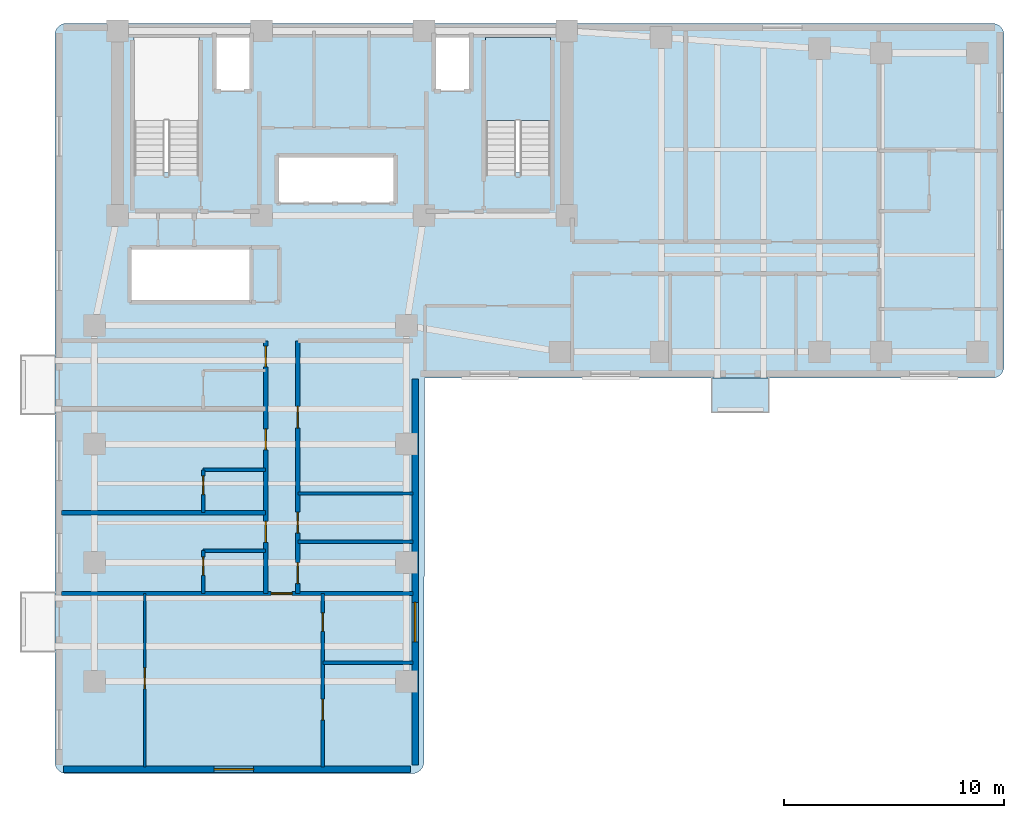
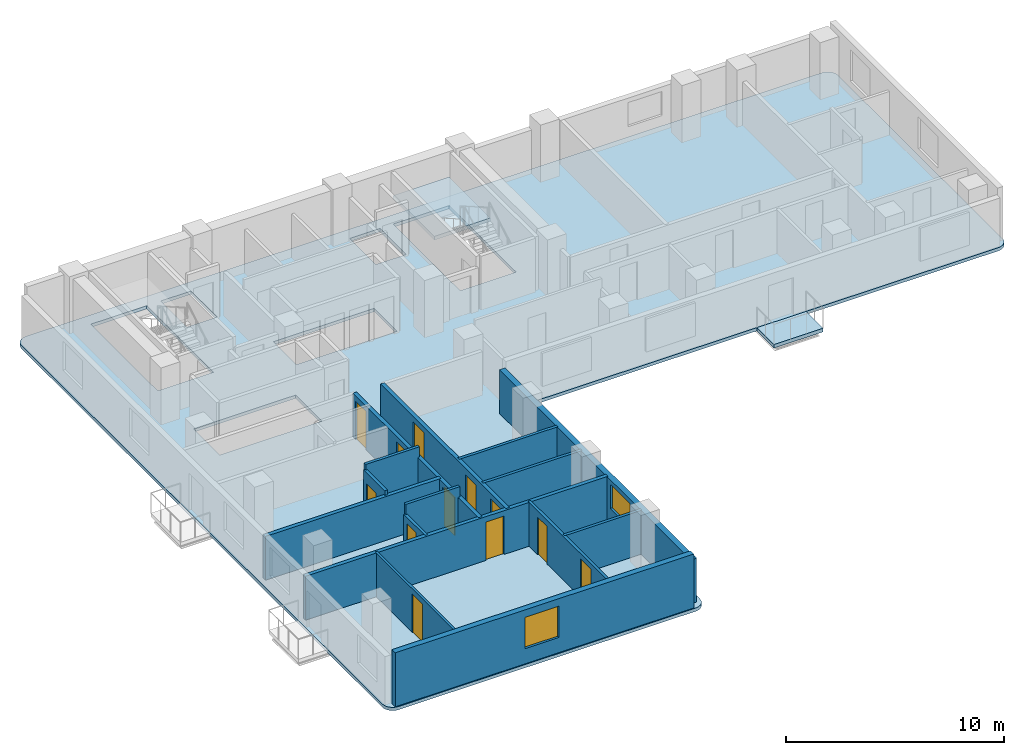
# One storey, part 2 of 7: 15 walls, 12 doors, 3 slabs, 2 windows, 14 openings, 1 element without a shape of its own.
"""IFC4 building model written with IfcOpenShell, lengths in metres."""

from ifc_helpers import new_model, si_unit, direction, frame, frame_2d, origin, place, context, subcontext, project, spatial, polyline, rectangle, outline, extrude, material, layer, layer_set, type_object, element, fill, aggregate, save


model = new_model("IFC4")

# Units and contexts
model_context = context("Model", 3, precision=1e-05, world=origin(), true_north=direction((0.0, 1.0)))
body_context = subcontext(model_context, "Body", "Model", "MODEL_VIEW")
ifc_project = project(units=[si_unit("LENGTHUNIT", "METRE"), si_unit("AREAUNIT", "SQUARE_METRE"), si_unit("VOLUMEUNIT", "CUBIC_METRE"), si_unit("PLANEANGLEUNIT", "RADIAN"), si_unit("MASSUNIT", "GRAM", prefix="KILO")], contexts=[model_context])

# Site, building, storey
site_placement = place(None, origin())
site = spatial("IfcSite", under=ifc_project, at=site_placement, CompositionType="ELEMENT")
building_placement = place(site_placement, origin())
building = spatial("IfcBuilding", under=site, at=building_placement, Name="Kuzgunbayir Cultural Tower", CompositionType="ELEMENT")
storey_placement = place(building_placement, frame((0.0, 0.0, 123.39990234375)))
storey = spatial("IfcBuildingStorey", under=building, at=storey_placement, Name="L35", CompositionType="ELEMENT", Elevation=123.39990234375)

# Slab
ifc_material_1 = material(Name="Concrete C40/50", Category="concrete")
ifc_layer_1 = layer(ifc_material_1, 0.199951171875)
ifc_layer_set_1 = layer_set([ifc_layer_1], Name="Concrete C40/50")
slab_type_1 = type_object("IfcSlabType", Name="SLB-BAL-STONE", PredefinedType="FLOOR", material=ifc_layer_set_1)
slab_1_placement = place(storey_placement, frame((0.0, 0.0, -0.199951171875)))
element("IfcSlab", 1, at=slab_1_placement, inside=storey, type_object=slab_type_1, Name="L35 Projecting Limestone Balcony BAL-L35-WB2", PredefinedType="FLOOR", context=body_context, shape_type="SweptSolid", body=[
    extrude(outline(polyline([(33.5, 24.840087890625), (36.10009765625, 24.840087890625), (36.10009765625, 26.39990234375), (33.5, 26.39990234375), (33.5, 24.840087890625)])), origin(), (0.0, 0.0, 1.0), 0.199951171875),
])

# Stair, slab
stair_type = type_object("IfcStairType", Name="STR-EXIT-CORE", PredefinedType="HALF_TURN_STAIR", material=ifc_material_1)
stair_placement = place(storey_placement, origin())
stair = element("IfcStair", 2, at=stair_placement, inside=storey, type_object=stair_type, Name="L35 ST-2", PredefinedType="HALF_TURN_STAIR")
ifc_layer_2 = layer(ifc_material_1, 0.179931640625)
ifc_layer_set_2 = layer_set([ifc_layer_2], Name="Concrete C40/50")
slab_type_2 = type_object("IfcSlabType", Name="SLB-LANDING-180", PredefinedType="LANDING", material=ifc_layer_set_2)
slab_2_placement = place(storey_placement, frame((0.0, 0.0, 1.400146484375)))
slab_2 = element("IfcSlab", 3, at=slab_2_placement, type_object=slab_type_2, Name="ST-2 landing 1", PredefinedType="LANDING", context=body_context, shape_type="SweptSolid", body=[
    extrude(outline(polyline([(26.159912109375, 38.1201171875), (26.159912109375, 41.89990234375), (23.199951171875, 41.89990234375), (23.199951171875, 38.1201171875), (26.159912109375, 38.1201171875)])), origin(), (0.0, 0.0, 1.0), 0.199951171875),
])
aggregate(stair, [slab_2])

# Slab
ifc_layer_3 = layer(ifc_material_1, 0.179931640625)
ifc_layer_set_3 = layer_set([ifc_layer_3], Name="Concrete C40/50")
slab_type_3 = type_object("IfcSlabType", Name="SLB-TYP-180", PredefinedType="FLOOR", material=ifc_layer_set_3)
slab_3_placement = place(storey_placement, frame((0.0, 0.0, -0.179931640625)))
element("IfcSlab", 4, at=slab_3_placement, inside=storey, type_object=slab_type_3, Name="L35 Tower 1 Floor Slab T1-MAIN", PredefinedType="FLOOR", context=body_context, shape_type="SweptSolid", body=[
    extrude(outline(polyline([(20.39990234375, 8.949951171875), (20.389892578125, 8.840087890625), (20.360107421875, 8.739990234375), (20.31005859375, 8.639892578125), (20.239990234375, 8.56005859375), (20.159912109375, 8.489990234375), (20.06005859375, 8.43994140625), (19.9599609375, 8.409912109375), (19.85009765625, 8.39990234375), (4.14990234375, 8.39990234375), (4.0400390625, 8.409912109375), (3.93994140625, 8.43994140625), (3.840087890625, 8.489990234375), (3.760009765625, 8.56005859375), (3.68994140625, 8.639892578125), (3.639892578125, 8.739990234375), (3.610107421875, 8.840087890625), (3.60009765625, 8.949951171875), (3.60009765625, 42.0), (3.610107421875, 42.110107421875), (3.639892578125, 42.2099609375), (3.68994140625, 42.31005859375), (3.760009765625, 42.389892578125), (3.840087890625, 42.4599609375), (3.93994140625, 42.510009765625), (4.0400390625, 42.5400390625), (4.14990234375, 42.550048828125), (46.25, 42.550048828125), (46.360107421875, 42.5400390625), (46.4599609375, 42.510009765625), (46.56005859375, 42.4599609375), (46.639892578125, 42.389892578125), (46.7099609375, 42.31005859375), (46.760009765625, 42.2099609375), (46.7900390625, 42.110107421875), (46.800048828125, 42.0), (46.800048828125, 26.949951171875), (46.7900390625, 26.840087890625), (46.760009765625, 26.739990234375), (46.7099609375, 26.639892578125), (46.639892578125, 26.56005859375), (46.56005859375, 26.489990234375), (46.4599609375, 26.43994140625), (46.360107421875, 26.409912109375), (46.25, 26.39990234375), (20.429931640625, 26.39990234375), (20.39990234375, 8.949951171875)]), holes=[polyline([(7.199951171875, 35.760009765625), (7.199951171875, 41.89990234375), (10.159912109375, 41.89990234375), (10.159912109375, 35.760009765625), (7.199951171875, 35.760009765625)]), polyline([(23.199951171875, 35.760009765625), (23.199951171875, 41.89990234375), (26.159912109375, 41.89990234375), (26.159912109375, 35.760009765625), (23.199951171875, 35.760009765625)]), polyline([(13.75, 34.39990234375), (13.75, 36.5), (19.080078125, 36.5), (19.080078125, 34.39990234375), (13.75, 34.39990234375)]), polyline([(7.10009765625, 29.89990234375), (7.10009765625, 32.300048828125), (12.5, 32.300048828125), (12.5, 29.89990234375), (7.10009765625, 29.89990234375)]), polyline([(10.89990234375, 39.5), (10.89990234375, 41.89990234375), (12.5, 41.89990234375), (12.5, 39.5), (10.89990234375, 39.5)]), polyline([(20.89990234375, 39.5), (20.89990234375, 41.89990234375), (22.5, 41.89990234375), (22.5, 39.5), (20.89990234375, 39.5)])]), origin(), (0.0, 0.0, 1.0), 0.179931640625),
])

# Wall, opening, window
ifc_material_2 = material(Name="Anatolian Cream Limestone", Category="masonry")
ifc_layer_4 = layer(ifc_material_2, 0.300048828125)
ifc_layer_set_4 = layer_set([ifc_layer_4], Name="Anatolian Cream Limestone")
wall_type_1 = type_object("IfcWallType", Name="WAL-EXT-STONE-300", PredefinedType="STANDARD", material=ifc_layer_set_4)
wall_1_placement = place(storey_placement, frame((4.0, 8.60009765625, 0.0), z_axis=(0.0, 0.0, 1.0), x_axis=(1.0, 0.0, 0.0)))
wall_1 = element("IfcWall", 5, at=wall_1_placement, inside=storey, type_object=wall_type_1, Name="L35 Wing A South Limestone Wall", PredefinedType="STANDARD", context=body_context, shape_type="SweptSolid", body=[
    extrude(rectangle(XDim=15.800048828125, YDim=0.300048828125, at=frame_2d((7.89990234375, 0.0))), origin(), (0.0, 0.0, 1.0), 3.02001953125),
])
opening_1_placement = place(wall_1_placement, frame((6.85009765625, 0.0, 0.85009765625)))
opening_1 = element("IfcOpeningElement", 6, at=opening_1_placement, cuts=wall_1, Name="Opening WH-18", PredefinedType="OPENING", context=body_context, shape_type="SweptSolid", body=[
    extrude(rectangle(XDim=1.800048828125, YDim=1.75, at=frame_2d((0.89990234375, 0.875))), frame((0.0, 0.16015625, 0.0), z_axis=(0.0, -1.0, 0.0), x_axis=(1.0, 0.0, 0.0)), (0.0, 0.0, 1.0), 0.320068359375),
])
ifc_material_3 = material(Name="Solar-Control Triple Glazing", Category="glass")
window_type = type_object("IfcWindowType", Name="WIN-HOTEL-18", PartitioningType="SINGLE_PANEL", PredefinedType="WINDOW", material=ifc_material_3)
window_1_placement = place(opening_1_placement, origin())
window_1 = element("IfcWindow", 7, at=window_1_placement, inside=storey, type_object=window_type, Name="L35 WAS Facade Window 3", OverallHeight=1.75, OverallWidth=1.800048828125, PartitioningType="SINGLE_PANEL", PredefinedType="WINDOW", context=body_context, shape_type="SweptSolid", body=[
    extrude(rectangle(XDim=1.800048828125, YDim=1.75, at=frame_2d((0.89990234375, 0.875))), frame((0.0, 0.030029296875, 0.0), z_axis=(0.0, -1.0, 0.0), x_axis=(1.0, 0.0, 0.0)), (0.0, 0.0, 1.0), 0.06005859375),
])
fill(opening_1, window_1)

wall_2_placement = place(storey_placement, frame((20.0, 8.800048828125, 0.0), z_axis=(0.0, 0.0, 1.0), x_axis=(0.0, 1.0, 0.0)))
wall_2 = element("IfcWall", 8, at=wall_2_placement, inside=storey, type_object=wall_type_1, Name="L35 Wing A East Limestone Wall", PredefinedType="STANDARD", context=body_context, shape_type="SweptSolid", body=[
    extrude(rectangle(XDim=17.550048828125, YDim=0.300048828125, at=frame_2d((8.77490234375, 0.0))), origin(), (0.0, 0.0, 1.0), 2.4501953125),
])
opening_2_placement = place(wall_2_placement, frame((5.60009765625, 0.0, 0.85009765625)))
opening_2 = element("IfcOpeningElement", 9, at=opening_2_placement, cuts=wall_2, Name="Opening WH-18", PredefinedType="OPENING", context=body_context, shape_type="SweptSolid", body=[
    extrude(rectangle(XDim=1.800048828125, YDim=1.35009765625, at=frame_2d((0.89990234375, 0.675048828125))), frame((0.0, 0.16015625, 0.0), z_axis=(0.0, -1.0, 0.0), x_axis=(1.0, 0.0, 0.0)), (0.0, 0.0, 1.0), 0.320068359375),
])
window_2_placement = place(opening_2_placement, origin())
window_2 = element("IfcWindow", 10, at=window_2_placement, inside=storey, type_object=window_type, Name="L35 WAE Facade Window 10", OverallHeight=1.35009765625, OverallWidth=1.800048828125, PartitioningType="SINGLE_PANEL", PredefinedType="WINDOW", context=body_context, shape_type="SweptSolid", body=[
    extrude(rectangle(XDim=1.800048828125, YDim=1.35009765625, at=frame_2d((0.89990234375, 0.675048828125))), frame((0.0, 0.030029296875, 0.0), z_axis=(0.0, -1.0, 0.0), x_axis=(1.0, 0.0, 0.0)), (0.0, 0.0, 1.0), 0.06005859375),
])
fill(opening_2, window_2)

# Wall
ifc_material_4 = material(Name="Acoustic Double-Stud Drywall", Category="gypsum")
ifc_layer_5 = layer(ifc_material_4, 0.14990234375)
ifc_layer_set_5 = layer_set([ifc_layer_5], Name="Acoustic Double-Stud Drywall")
wall_type_2 = type_object("IfcWallType", Name="WAL-PART-ACOUSTIC-150", PredefinedType="PARTITIONING", material=ifc_layer_set_5)
wall_3_placement = place(storey_placement, frame((14.659912109375, 18.949951171875, 0.0), z_axis=(0.0, 0.0, 1.0), x_axis=(1.0, 0.0, 0.0)))
element("IfcWall", 11, at=wall_3_placement, inside=storey, type_object=wall_type_2, Name="L35 Housekeeping North Wall", PredefinedType="PARTITIONING", context=body_context, shape_type="SweptSolid", body=[
    extrude(rectangle(XDim=5.239990234375, YDim=0.14990234375, at=frame_2d((2.6201171875, 0.0))), origin(), (0.0, 0.0, 1.0), 2.4501953125),
])

# Wall, openings, doors
ifc_material_5 = material(Name="Aerated Concrete Blockwork", Category="masonry")
ifc_layer_6 = layer(ifc_material_5, 0.199951171875)
ifc_layer_set_6 = layer_set([ifc_layer_6], Name="Aerated Concrete Blockwork")
wall_type_3 = type_object("IfcWallType", Name="WAL-PART-FIRE-200", PredefinedType="PARTITIONING", material=ifc_layer_set_6)
wall_4_placement = place(storey_placement, frame((13.199951171875, 16.60009765625, 0.0), z_axis=(0.0, 0.0, 1.0), x_axis=(0.0, 1.0, 0.0)))
wall_4 = element("IfcWall", 12, at=wall_4_placement, inside=storey, type_object=wall_type_3, Name="L35 Wing A West Corridor Wall", PredefinedType="PARTITIONING", context=body_context, shape_type="SweptSolid", body=[
    extrude(rectangle(XDim=11.5, YDim=0.199951171875, at=frame_2d((5.75, 0.0))), origin(), (0.0, 0.0, 1.0), 2.4501953125),
])
opening_3_placement = place(wall_4_placement, frame((2.330078125, 0.0, 0.0)))
opening_3 = element("IfcOpeningElement", 13, at=opening_3_placement, cuts=wall_4, Name="Opening DR-APT-60", PredefinedType="OPENING", context=body_context, shape_type="SweptSolid", body=[
    extrude(rectangle(XDim=0.949951171875, YDim=2.14990234375, at=frame_2d((0.47509765625, 1.074951171875))), frame((0.0, 0.10986328125, 0.0), z_axis=(0.0, -1.0, 0.0), x_axis=(1.0, 0.0, 0.0)), (0.0, 0.0, 1.0), 0.219970703125),
])
opening_4_placement = place(wall_4_placement, frame((6.5400390625, 0.0, 0.0)))
opening_4 = element("IfcOpeningElement", 14, at=opening_4_placement, cuts=wall_4, Name="Opening DR-APT-60", PredefinedType="OPENING", context=body_context, shape_type="SweptSolid", body=[
    extrude(rectangle(XDim=0.949951171875, YDim=2.14990234375, at=frame_2d((0.47509765625, 1.074951171875))), frame((0.0, 0.10986328125, 0.0), z_axis=(0.0, -1.0, 0.0), x_axis=(1.0, 0.0, 0.0)), (0.0, 0.0, 1.0), 0.219970703125),
])
opening_5_placement = place(wall_4_placement, frame((10.31005859375, 0.0, 0.0)))
opening_5 = element("IfcOpeningElement", 15, at=opening_5_placement, cuts=wall_4, Name="Opening DR-APT-60", PredefinedType="OPENING", context=body_context, shape_type="SweptSolid", body=[
    extrude(rectangle(XDim=0.949951171875, YDim=2.14990234375, at=frame_2d((0.47509765625, 1.074951171875))), frame((0.0, 0.10986328125, 0.0), z_axis=(0.0, -1.0, 0.0), x_axis=(1.0, 0.0, 0.0)), (0.0, 0.0, 1.0), 0.219970703125),
])
ifc_material_6 = material(Name="Acoustic Fire Timber Leaf", Category="wood")
door_type_1 = type_object("IfcDoorType", Name="DR-APT-60", OperationType="NOTDEFINED", PredefinedType="DOOR", material=ifc_material_6)
door_1_placement = place(opening_3_placement, origin())
door_1 = element("IfcDoor", 16, at=door_1_placement, inside=storey, type_object=door_type_1, Name="L35 Guest Suite W1 Entrance", OperationType="SINGLE_SWING_LEFT", OverallHeight=2.14990234375, OverallWidth=0.949951171875, PredefinedType="DOOR", context=body_context, shape_type="SweptSolid", body=[
    extrude(rectangle(XDim=0.949951171875, YDim=2.14990234375, at=frame_2d((0.47509765625, 1.074951171875))), frame((0.0, 0.02490234375, 0.0), z_axis=(0.0, -1.0, 0.0), x_axis=(1.0, 0.0, 0.0)), (0.0, 0.0, 1.0), 0.050048828125),
])
fill(opening_3, door_1)
door_2_placement = place(opening_4_placement, origin())
door_2 = element("IfcDoor", 17, at=door_2_placement, inside=storey, type_object=door_type_1, Name="L35 Guest Suite W2 Entrance", OperationType="SINGLE_SWING_LEFT", OverallHeight=2.14990234375, OverallWidth=0.949951171875, PredefinedType="DOOR", context=body_context, shape_type="SweptSolid", body=[
    extrude(rectangle(XDim=0.949951171875, YDim=2.14990234375, at=frame_2d((0.47509765625, 1.074951171875))), frame((0.0, 0.02490234375, 0.0), z_axis=(0.0, -1.0, 0.0), x_axis=(1.0, 0.0, 0.0)), (0.0, 0.0, 1.0), 0.050048828125),
])
fill(opening_4, door_2)
door_3_placement = place(opening_5_placement, origin())
door_3 = element("IfcDoor", 18, at=door_3_placement, inside=storey, type_object=door_type_1, Name="L35 Guest Suite W3 Entrance", OperationType="SINGLE_SWING_LEFT", OverallHeight=2.14990234375, OverallWidth=0.949951171875, PredefinedType="DOOR", context=body_context, shape_type="SweptSolid", body=[
    extrude(rectangle(XDim=0.949951171875, YDim=2.14990234375, at=frame_2d((0.47509765625, 1.074951171875))), frame((0.0, 0.02490234375, 0.0), z_axis=(0.0, -1.0, 0.0), x_axis=(1.0, 0.0, 0.0)), (0.0, 0.0, 1.0), 0.050048828125),
])
fill(opening_5, door_3)

wall_5_placement = place(storey_placement, frame((14.659912109375, 16.60009765625, 0.0), z_axis=(0.0, 0.0, 1.0), x_axis=(0.0, 1.0, 0.0)))
wall_5 = element("IfcWall", 19, at=wall_5_placement, inside=storey, type_object=wall_type_3, Name="L35 Wing A East Corridor Wall", PredefinedType="PARTITIONING", context=body_context, shape_type="SweptSolid", body=[
    extrude(rectangle(XDim=11.5, YDim=0.199951171875, at=frame_2d((5.75, 0.0))), origin(), (0.0, 0.0, 1.0), 2.4501953125),
])
opening_6_placement = place(wall_5_placement, frame((0.449951171875, 0.0, 0.0)))
opening_6 = element("IfcOpeningElement", 20, at=opening_6_placement, cuts=wall_5, Name="Opening DI-90", PredefinedType="OPENING", context=body_context, shape_type="SweptSolid", body=[
    extrude(rectangle(XDim=0.949951171875, YDim=2.14990234375, at=frame_2d((0.47509765625, 1.074951171875))), frame((0.0, 0.10986328125, 0.0), z_axis=(0.0, -1.0, 0.0), x_axis=(1.0, 0.0, 0.0)), (0.0, 0.0, 1.0), 0.219970703125),
])
opening_7_placement = place(wall_5_placement, frame((2.75, 0.0, 0.0)))
opening_7 = element("IfcOpeningElement", 21, at=opening_7_placement, cuts=wall_5, Name="Opening DW-95", PredefinedType="OPENING", context=body_context, shape_type="SweptSolid", body=[
    extrude(rectangle(XDim=0.949951171875, YDim=2.10009765625, at=frame_2d((0.47509765625, 1.050048828125))), frame((0.0, 0.10986328125, 0.0), z_axis=(0.0, -1.0, 0.0), x_axis=(1.0, 0.0, 0.0)), (0.0, 0.0, 1.0), 0.219970703125),
])
opening_8_placement = place(wall_5_placement, frame((7.52001953125, 0.0, 0.0)))
opening_8 = element("IfcOpeningElement", 22, at=opening_8_placement, cuts=wall_5, Name="Opening DI-100", PredefinedType="OPENING", context=body_context, shape_type="SweptSolid", body=[
    extrude(rectangle(XDim=1.0, YDim=2.14990234375, at=frame_2d((0.5, 1.074951171875))), frame((0.0, 0.10986328125, 0.0), z_axis=(0.0, -1.0, 0.0), x_axis=(1.0, 0.0, 0.0)), (0.0, 0.0, 1.0), 0.219970703125),
])
ifc_material_7 = material(Name="Veneered Oak Single Leaf", Category="wood")
door_type_2 = type_object("IfcDoorType", Name="DR-INT-100", OperationType="NOTDEFINED", PredefinedType="DOOR", material=ifc_material_7)
door_4_placement = place(opening_8_placement, origin())
door_4 = element("IfcDoor", 23, at=door_4_placement, inside=storey, type_object=door_type_2, Name="L35 East Fellows Reading Lounge Door", OperationType="SINGLE_SWING_RIGHT", OverallHeight=2.14990234375, OverallWidth=1.0, PredefinedType="DOOR", context=body_context, shape_type="SweptSolid", body=[
    extrude(rectangle(XDim=1.0, YDim=2.14990234375, at=frame_2d((0.5, 1.074951171875))), frame((0.0, 0.02490234375, 0.0), z_axis=(0.0, -1.0, 0.0), x_axis=(1.0, 0.0, 0.0)), (0.0, 0.0, 1.0), 0.050048828125),
])
fill(opening_8, door_4)
door_type_3 = type_object("IfcDoorType", Name="DR-INT-90", OperationType="NOTDEFINED", PredefinedType="DOOR", material=ifc_material_7)
door_5_placement = place(opening_6_placement, origin())
door_5 = element("IfcDoor", 24, at=door_5_placement, inside=storey, type_object=door_type_3, Name="L35 Housekeeping Room Door", OperationType="SINGLE_SWING_RIGHT", OverallHeight=2.14990234375, OverallWidth=0.949951171875, PredefinedType="DOOR", context=body_context, shape_type="SweptSolid", body=[
    extrude(rectangle(XDim=0.949951171875, YDim=2.14990234375, at=frame_2d((0.47509765625, 1.074951171875))), frame((0.0, 0.02490234375, 0.0), z_axis=(0.0, -1.0, 0.0), x_axis=(1.0, 0.0, 0.0)), (0.0, 0.0, 1.0), 0.050048828125),
])
fill(opening_6, door_5)
ifc_material_8 = material(Name="Laminate Moisture-Resistant Leaf", Category="wood")
door_type_4 = type_object("IfcDoorType", Name="DR-WET-95", OperationType="NOTDEFINED", PredefinedType="DOOR", material=ifc_material_8)
door_6_placement = place(opening_7_placement, origin())
door_6 = element("IfcDoor", 25, at=door_6_placement, inside=storey, type_object=door_type_4, Name="L35 Accessible WC Door", OperationType="SINGLE_SWING_LEFT", OverallHeight=2.10009765625, OverallWidth=0.949951171875, PredefinedType="DOOR", context=body_context, shape_type="SweptSolid", body=[
    extrude(rectangle(XDim=0.949951171875, YDim=2.10009765625, at=frame_2d((0.47509765625, 1.050048828125))), frame((0.0, 0.02490234375, 0.0), z_axis=(0.0, -1.0, 0.0), x_axis=(1.0, 0.0, 0.0)), (0.0, 0.0, 1.0), 0.050048828125),
])
fill(opening_7, door_6)

# Wall, opening, door
wall_6_placement = place(storey_placement, frame((3.89990234375, 16.60009765625, 0.0), z_axis=(0.0, 0.0, 1.0), x_axis=(1.0, 0.0, 0.0)))
wall_6 = element("IfcWall", 26, at=wall_6_placement, inside=storey, type_object=wall_type_3, Name="L35 South Cross Partition", PredefinedType="PARTITIONING", context=body_context, shape_type="SweptSolid", body=[
    extrude(rectangle(XDim=16.0, YDim=0.199951171875, at=frame_2d((8.0, 0.0))), origin(), (0.0, 0.0, 1.0), 2.4501953125),
])
opening_9_placement = place(wall_6_placement, frame((9.550048828125, 0.0, 0.0)))
opening_9 = element("IfcOpeningElement", 27, at=opening_9_placement, cuts=wall_6, Name="Opening DR-APT-60", PredefinedType="OPENING", context=body_context, shape_type="SweptSolid", body=[
    extrude(rectangle(XDim=0.949951171875, YDim=2.14990234375, at=frame_2d((0.47509765625, 1.074951171875))), frame((0.0, 0.10986328125, 0.0), z_axis=(0.0, -1.0, 0.0), x_axis=(1.0, 0.0, 0.0)), (0.0, 0.0, 1.0), 0.219970703125),
])
door_7_placement = place(opening_9_placement, origin())
door_7 = element("IfcDoor", 28, at=door_7_placement, inside=storey, type_object=door_type_1, Name="L35 Diplomatic Suite Entrance", OperationType="SINGLE_SWING_RIGHT", OverallHeight=2.14990234375, OverallWidth=0.949951171875, PredefinedType="DOOR", context=body_context, shape_type="SweptSolid", body=[
    extrude(rectangle(XDim=0.949951171875, YDim=2.14990234375, at=frame_2d((0.47509765625, 1.074951171875))), frame((0.0, 0.02490234375, 0.0), z_axis=(0.0, -1.0, 0.0), x_axis=(1.0, 0.0, 0.0)), (0.0, 0.0, 1.0), 0.050048828125),
])
fill(opening_9, door_7)

# Wall
wall_7_placement = place(storey_placement, frame((3.89990234375, 20.280029296875, 0.0), z_axis=(0.0, 0.0, 1.0), x_axis=(1.0, 0.0, 0.0)))
element("IfcWall", 29, at=wall_7_placement, inside=storey, type_object=wall_type_3, Name="L35 West Party Wall 1", PredefinedType="PARTITIONING", context=body_context, shape_type="SweptSolid", body=[
    extrude(rectangle(XDim=9.300048828125, YDim=0.199951171875, at=frame_2d((4.64990234375, 0.0))), origin(), (0.0, 0.0, 1.0), 2.4501953125),
])

# Wall, opening, door
ifc_material_9 = material(Name="Framed Gypsum Partition", Category="gypsum")
ifc_layer_7 = layer(ifc_material_9, 0.1201171875)
ifc_layer_set_7 = layer_set([ifc_layer_7], Name="Framed Gypsum Partition")
wall_type_4 = type_object("IfcWallType", Name="WAL-PART-INT-120", PredefinedType="PARTITIONING", material=ifc_layer_set_7)
wall_8_placement = place(storey_placement, frame((7.699951171875, 8.699951171875, 0.0), z_axis=(0.0, 0.0, 1.0), x_axis=(0.0, 1.0, 0.0)))
wall_8 = element("IfcWall", 30, at=wall_8_placement, inside=storey, type_object=wall_type_4, Name="L35 Diplomatic Suite Bedroom Wall", PredefinedType="PARTITIONING", context=body_context, shape_type="SweptSolid", body=[
    extrude(rectangle(XDim=7.900146484375, YDim=0.1201171875, at=frame_2d((3.9501953125, 0.0))), origin(), (0.0, 0.0, 1.0), 2.4501953125),
])
opening_10_placement = place(wall_8_placement, frame((3.56005859375, 0.0, 0.0)))
opening_10 = element("IfcOpeningElement", 31, at=opening_10_placement, cuts=wall_8, Name="Opening DI-90", PredefinedType="OPENING", context=body_context, shape_type="SweptSolid", body=[
    extrude(rectangle(XDim=0.949951171875, YDim=2.14990234375, at=frame_2d((0.47509765625, 1.074951171875))), frame((0.0, 0.070068359375, 0.0), z_axis=(0.0, -1.0, 0.0), x_axis=(1.0, 0.0, 0.0)), (0.0, 0.0, 1.0), 0.14013671875),
])
door_8_placement = place(opening_10_placement, origin())
door_8 = element("IfcDoor", 32, at=door_8_placement, inside=storey, type_object=door_type_3, Name="L35 Diplomatic Bedroom Door", OperationType="SINGLE_SWING_LEFT", OverallHeight=2.14990234375, OverallWidth=0.949951171875, PredefinedType="DOOR", context=body_context, shape_type="SweptSolid", body=[
    extrude(rectangle(XDim=0.949951171875, YDim=2.14990234375, at=frame_2d((0.47509765625, 1.074951171875))), frame((0.0, 0.02490234375, 0.0), z_axis=(0.0, -1.0, 0.0), x_axis=(1.0, 0.0, 0.0)), (0.0, 0.0, 1.0), 0.050048828125),
])
fill(opening_10, door_8)

# Wall
ifc_material_10 = material(Name="Moisture-Resistant Tile Partition", Category="gypsum")
ifc_layer_8 = layer(ifc_material_10, 0.14990234375)
ifc_layer_set_8 = layer_set([ifc_layer_8], Name="Moisture-Resistant Tile Partition")
wall_type_5 = type_object("IfcWallType", Name="WAL-PART-WET-150", PredefinedType="PARTITIONING", material=ifc_layer_set_8)
wall_9_placement = place(storey_placement, frame((10.35009765625, 18.550048828125, 0.0), z_axis=(0.0, 0.0, 1.0), x_axis=(1.0, 0.0, 0.0)))
element("IfcWall", 33, at=wall_9_placement, inside=storey, type_object=wall_type_5, Name="L35 Suite W1 En-Suite North Wall", PredefinedType="PARTITIONING", context=body_context, shape_type="SweptSolid", body=[
    extrude(rectangle(XDim=2.849853515625, YDim=0.14990234375, at=frame_2d((1.4248046875, 0.0))), origin(), (0.0, 0.0, 1.0), 3.02001953125),
])

# Wall, opening, door
wall_10_placement = place(storey_placement, frame((10.35009765625, 16.60009765625, 0.0), z_axis=(0.0, 0.0, 1.0), x_axis=(0.0, 1.0, 0.0)))
wall_10 = element("IfcWall", 34, at=wall_10_placement, inside=storey, type_object=wall_type_5, Name="L35 Suite W1 En-Suite West Wall", PredefinedType="PARTITIONING", context=body_context, shape_type="SweptSolid", body=[
    extrude(rectangle(XDim=1.949951171875, YDim=0.14990234375, at=frame_2d((0.97509765625, 0.0))), origin(), (0.0, 0.0, 1.0), 2.4501953125),
])
opening_11_placement = place(wall_10_placement, frame((0.820068359375, 0.0, 0.0)))
opening_11 = element("IfcOpeningElement", 35, at=opening_11_placement, cuts=wall_10, Name="Opening DW-85", PredefinedType="OPENING", context=body_context, shape_type="SweptSolid", body=[
    extrude(rectangle(XDim=0.85009765625, YDim=2.10009765625, at=frame_2d((0.425048828125, 1.050048828125))), frame((0.0, 0.0849609375, 0.0), z_axis=(0.0, -1.0, 0.0), x_axis=(1.0, 0.0, 0.0)), (0.0, 0.0, 1.0), 0.169921875),
])
door_type_5 = type_object("IfcDoorType", Name="DR-WET-85", OperationType="NOTDEFINED", PredefinedType="DOOR", material=ifc_material_8)
door_9_placement = place(opening_11_placement, origin())
door_9 = element("IfcDoor", 36, at=door_9_placement, inside=storey, type_object=door_type_5, Name="L35 Suite W1 En-Suite Door", OperationType="SINGLE_SWING_RIGHT", OverallHeight=2.10009765625, OverallWidth=0.85009765625, PredefinedType="DOOR", context=body_context, shape_type="SweptSolid", body=[
    extrude(rectangle(XDim=0.85009765625, YDim=2.10009765625, at=frame_2d((0.425048828125, 1.050048828125))), frame((0.0, 0.02490234375, 0.0), z_axis=(0.0, -1.0, 0.0), x_axis=(1.0, 0.0, 0.0)), (0.0, 0.0, 1.0), 0.050048828125),
])
fill(opening_11, door_9)

# Wall
wall_11_placement = place(storey_placement, frame((10.35009765625, 22.22998046875, 0.0), z_axis=(0.0, 0.0, 1.0), x_axis=(1.0, 0.0, 0.0)))
element("IfcWall", 37, at=wall_11_placement, inside=storey, type_object=wall_type_5, Name="L35 Suite W2 En-Suite North Wall", PredefinedType="PARTITIONING", context=body_context, shape_type="SweptSolid", body=[
    extrude(rectangle(XDim=2.849853515625, YDim=0.14990234375, at=frame_2d((1.4248046875, 0.0))), origin(), (0.0, 0.0, 1.0), 3.02001953125),
])

# Wall, opening, door
wall_12_placement = place(storey_placement, frame((10.35009765625, 20.280029296875, 0.0), z_axis=(0.0, 0.0, 1.0), x_axis=(0.0, 1.0, 0.0)))
wall_12 = element("IfcWall", 38, at=wall_12_placement, inside=storey, type_object=wall_type_5, Name="L35 Suite W2 En-Suite West Wall", PredefinedType="PARTITIONING", context=body_context, shape_type="SweptSolid", body=[
    extrude(rectangle(XDim=1.949951171875, YDim=0.14990234375, at=frame_2d((0.97509765625, 0.0))), origin(), (0.0, 0.0, 1.0), 2.710205078125),
])
opening_12_placement = place(wall_12_placement, frame((0.820068359375, 0.0, 0.0)))
opening_12 = element("IfcOpeningElement", 39, at=opening_12_placement, cuts=wall_12, Name="Opening DW-85", PredefinedType="OPENING", context=body_context, shape_type="SweptSolid", body=[
    extrude(rectangle(XDim=0.85009765625, YDim=2.10009765625, at=frame_2d((0.425048828125, 1.050048828125))), frame((0.0, 0.0849609375, 0.0), z_axis=(0.0, -1.0, 0.0), x_axis=(1.0, 0.0, 0.0)), (0.0, 0.0, 1.0), 0.169921875),
])
door_10_placement = place(opening_12_placement, origin())
door_10 = element("IfcDoor", 40, at=door_10_placement, inside=storey, type_object=door_type_5, Name="L35 Suite W2 En-Suite Door", OperationType="SINGLE_SWING_RIGHT", OverallHeight=2.10009765625, OverallWidth=0.85009765625, PredefinedType="DOOR", context=body_context, shape_type="SweptSolid", body=[
    extrude(rectangle(XDim=0.85009765625, YDim=2.10009765625, at=frame_2d((0.425048828125, 1.050048828125))), frame((0.0, 0.02490234375, 0.0), z_axis=(0.0, -1.0, 0.0), x_axis=(1.0, 0.0, 0.0)), (0.0, 0.0, 1.0), 0.050048828125),
])
fill(opening_12, door_10)

# Wall, openings, doors
wall_13_placement = place(storey_placement, frame((15.800048828125, 8.699951171875, 0.0), z_axis=(0.0, 0.0, 1.0), x_axis=(0.0, 1.0, 0.0)))
wall_13 = element("IfcWall", 41, at=wall_13_placement, inside=storey, type_object=wall_type_5, Name="L35 Diplomatic Suite Service Wall", PredefinedType="PARTITIONING", context=body_context, shape_type="SweptSolid", body=[
    extrude(rectangle(XDim=7.900146484375, YDim=0.14990234375, at=frame_2d((3.9501953125, 0.0))), origin(), (0.0, 0.0, 1.0), 2.4501953125),
])
opening_13_placement = place(wall_13_placement, frame((2.139892578125, 0.0, 0.0)))
opening_13 = element("IfcOpeningElement", 42, at=opening_13_placement, cuts=wall_13, Name="Opening DI-90", PredefinedType="OPENING", context=body_context, shape_type="SweptSolid", body=[
    extrude(rectangle(XDim=0.949951171875, YDim=2.14990234375, at=frame_2d((0.47509765625, 1.074951171875))), frame((0.0, 0.0849609375, 0.0), z_axis=(0.0, -1.0, 0.0), x_axis=(1.0, 0.0, 0.0)), (0.0, 0.0, 1.0), 0.169921875),
])
opening_14_placement = place(wall_13_placement, frame((6.169921875, 0.0, 0.0)))
opening_14 = element("IfcOpeningElement", 43, at=opening_14_placement, cuts=wall_13, Name="Opening DW-85", PredefinedType="OPENING", context=body_context, shape_type="SweptSolid", body=[
    extrude(rectangle(XDim=0.85009765625, YDim=2.10009765625, at=frame_2d((0.425048828125, 1.050048828125))), frame((0.0, 0.0849609375, 0.0), z_axis=(0.0, -1.0, 0.0), x_axis=(1.0, 0.0, 0.0)), (0.0, 0.0, 1.0), 0.169921875),
])
door_11_placement = place(opening_13_placement, origin())
door_11 = element("IfcDoor", 44, at=door_11_placement, inside=storey, type_object=door_type_3, Name="L35 Diplomatic Kitchen Door", OperationType="SINGLE_SWING_RIGHT", OverallHeight=2.14990234375, OverallWidth=0.949951171875, PredefinedType="DOOR", context=body_context, shape_type="SweptSolid", body=[
    extrude(rectangle(XDim=0.949951171875, YDim=2.14990234375, at=frame_2d((0.47509765625, 1.074951171875))), frame((0.0, 0.02490234375, 0.0), z_axis=(0.0, -1.0, 0.0), x_axis=(1.0, 0.0, 0.0)), (0.0, 0.0, 1.0), 0.050048828125),
])
fill(opening_13, door_11)
door_12_placement = place(opening_14_placement, origin())
door_12 = element("IfcDoor", 45, at=door_12_placement, inside=storey, type_object=door_type_5, Name="L35 Diplomatic Bathroom Door", OperationType="SINGLE_SWING_LEFT", OverallHeight=2.10009765625, OverallWidth=0.85009765625, PredefinedType="DOOR", context=body_context, shape_type="SweptSolid", body=[
    extrude(rectangle(XDim=0.85009765625, YDim=2.10009765625, at=frame_2d((0.425048828125, 1.050048828125))), frame((0.0, 0.02490234375, 0.0), z_axis=(0.0, -1.0, 0.0), x_axis=(1.0, 0.0, 0.0)), (0.0, 0.0, 1.0), 0.050048828125),
])
fill(opening_14, door_12)

# Walls
wall_14_placement = place(storey_placement, frame((15.800048828125, 13.449951171875, 0.0), z_axis=(0.0, 0.0, 1.0), x_axis=(1.0, 0.0, 0.0)))
element("IfcWall", 46, at=wall_14_placement, inside=storey, type_object=wall_type_5, Name="L35 Diplomatic Suite Bath Kitchen Divider", PredefinedType="PARTITIONING", context=body_context, shape_type="SweptSolid", body=[
    extrude(rectangle(XDim=4.099853515625, YDim=0.14990234375, at=frame_2d((2.0498046875, 0.0))), origin(), (0.0, 0.0, 1.0), 2.4501953125),
])
wall_15_placement = place(storey_placement, frame((14.659912109375, 21.14990234375, 0.0), z_axis=(0.0, 0.0, 1.0), x_axis=(1.0, 0.0, 0.0)))
element("IfcWall", 47, at=wall_15_placement, inside=storey, type_object=wall_type_5, Name="L35 Accessible WC North Wall", PredefinedType="PARTITIONING", context=body_context, shape_type="SweptSolid", body=[
    extrude(rectangle(XDim=5.239990234375, YDim=0.14990234375, at=frame_2d((2.6201171875, 0.0))), origin(), (0.0, 0.0, 1.0), 2.4501953125),
])

save(model, "model.ifc")
